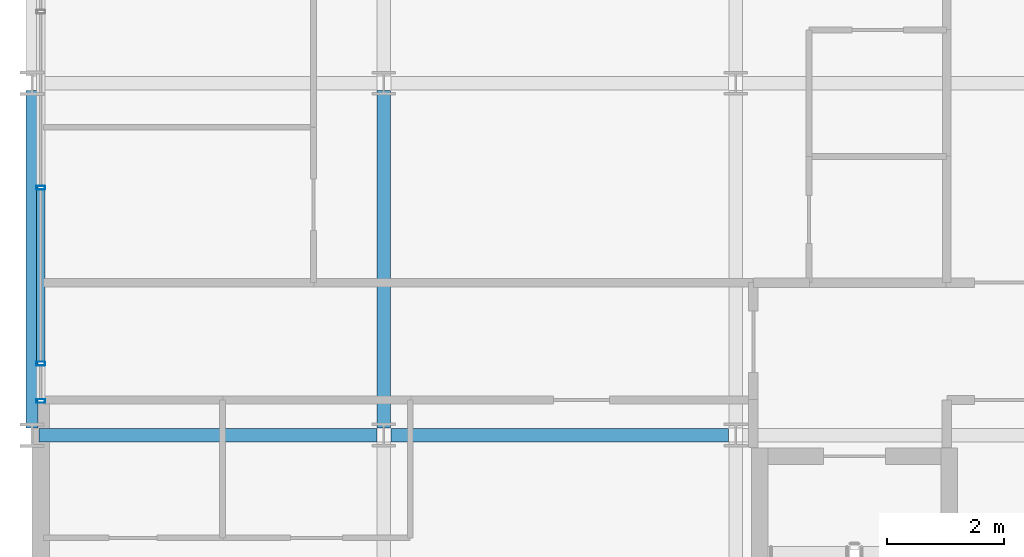
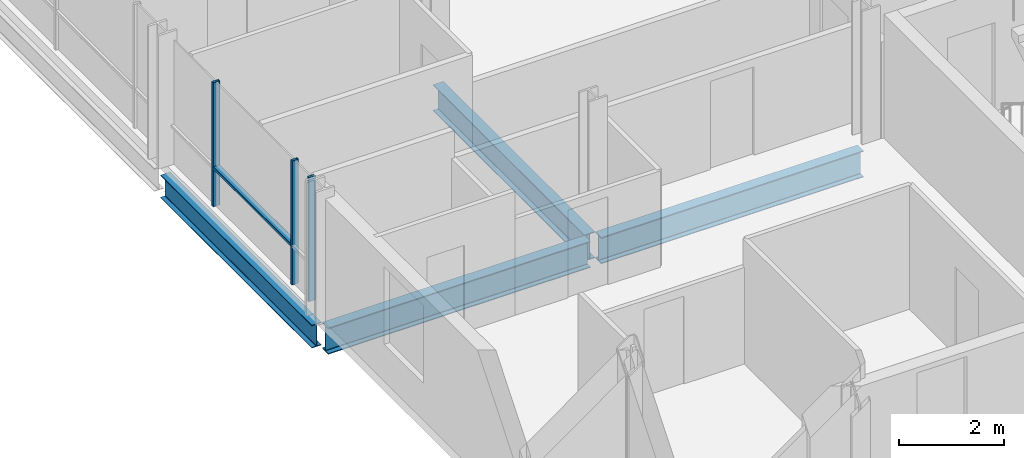
# One storey, part 4 of 41: 4 beams, 4 members, 1 element without a shape of its own.
"""IFC4 building model written with IfcOpenShell, lengths in metres."""

from ifc_helpers import new_model, si_unit, direction, frame, origin, origin_2d, place, context, subcontext, project, spatial, hollow_rectangle, i_section, extrude, material, layer, layer_set, material_profile, profile_set, type_object, element, aggregate, save


model = new_model("IFC4")

# Units and contexts
model_context = context("Model", 3, precision=1e-05, world=origin(), true_north=direction((0.0, 1.0)))
body_context = subcontext(model_context, "Body", "Model", "MODEL_VIEW")
ifc_project = project(units=[si_unit("LENGTHUNIT", "METRE"), si_unit("AREAUNIT", "SQUARE_METRE"), si_unit("VOLUMEUNIT", "CUBIC_METRE"), si_unit("PLANEANGLEUNIT", "RADIAN"), si_unit("MASSUNIT", "GRAM", prefix="KILO")], contexts=[model_context])

# Site, building, storey
site_placement = place(None, origin())
site = spatial("IfcSite", under=ifc_project, at=site_placement, CompositionType="ELEMENT")
building_placement = place(site_placement, origin())
building = spatial("IfcBuilding", under=site, at=building_placement, Name="Brevholm Reach", CompositionType="ELEMENT")
storey_placement = place(building_placement, frame((0.0, 0.0, 144.89990234375)))
storey = spatial("IfcBuildingStorey", under=building, at=storey_placement, Name="L43", CompositionType="ELEMENT", Elevation=144.89990234375)

# Beams
ifc_material_1 = material(Name="Structural Steel S355J2", Category="steel")
ifc_material_profile_1 = material_profile(ifc_material_1, i_section(OverallWidth=0.209228515625, OverallDepth=0.533203125, WebThickness=0.010009765625, FlangeThickness=0.015625, FilletRadius=0.0126953125, at=origin_2d()), Name="UKB 533x210x92")
ifc_profile_set_1 = profile_set([ifc_material_profile_1], Name="Structural Steel S355J2")
beam_type_1 = type_object("IfcBeamType", Name="BM-SP533", PredefinedType="SPANDREL", material=ifc_profile_set_1)
beam_placement = place(storey_placement, frame((0.0, 10.1201171875, -0.486572265625), z_axis=(0.0, 1.0, 0.0), x_axis=(-1.0, 0.0, 0.0)))
element("IfcBeam", 1, at=beam_placement, inside=storey, type_object=beam_type_1, Name="L43 SP-02 Framing Beam", PredefinedType="SPANDREL", context=body_context, shape_type="SweptSolid", body=[
    extrude(i_section(OverallWidth=0.209228515625, OverallDepth=0.533203125, WebThickness=0.010009765625, FlangeThickness=0.015625, FilletRadius=0.0126953125, at=origin_2d()), origin(), (0.0, 0.0, 1.0), 5.759765625),
])
ifc_material_2 = material(Name="Structural Steel S355J2", Category="steel")
ifc_material_profile_2 = material_profile(ifc_material_2, i_section(OverallWidth=0.22900390625, OverallDepth=0.6123046875, WebThickness=0.011962890625, FlangeThickness=0.01953125, FilletRadius=0.0126953125, at=origin_2d()), Name="UKB 610x229x125")
ifc_profile_set_2 = profile_set([ifc_material_profile_2], Name="Structural Steel S355J2")
beam_type_2 = type_object("IfcBeamType", Name="BM-SP610", PredefinedType="SPANDREL", material=ifc_profile_set_2)
for number, where, z_axis, x_axis, name in (
    (2, (0.1201171875, 10.0, -0.526123046875), (1.0, 0.0, 0.0), (0.0, 1.0, 0.0), "L43 SP-01 Framing Beam"),
    (3, (6.1201171875, 10.0, -0.526123046875), (1.0, 0.0, 0.0), (0.0, 1.0, 0.0), "L43 SP-01 Framing Beam"),
    (4, (6.0, 10.1201171875, -0.526123046875), (0.0, 1.0, 0.0), (-1.0, 0.0, 0.0), "L43 SP-01 Framing Beam"),
):
    element("IfcBeam", number, at=place(storey_placement, frame(where, z_axis=z_axis, x_axis=x_axis)), inside=storey, type_object=beam_type_2, Name=name, PredefinedType="SPANDREL", context=body_context, shape_type="SweptSolid", body=[
        extrude(i_section(OverallWidth=0.22900390625, OverallDepth=0.6123046875, WebThickness=0.011962890625, FlangeThickness=0.01953125, FilletRadius=0.0126953125, at=origin_2d()), origin(), (0.0, 0.0, 1.0), 5.759765625),
    ])

# Curtain wall, members
ifc_material_3 = material(Name="Dark Anodised Aluminium 6063-T6 and Solar-Control Glass", Category="aluminium")
ifc_layer = layer(ifc_material_3, 0.14990234375)
ifc_layer_set = layer_set([ifc_layer], Name="Dark Anodised Aluminium 6063-T6 and Solar-Control Glass")
curtain_wall_type = type_object("IfcCurtainWallType", Name="CW-01", PredefinedType="NOTDEFINED", material=ifc_layer_set)
curtain_wall_placement = place(storey_placement, origin())
curtain_wall = element("IfcCurtainWall", 5, at=curtain_wall_placement, inside=storey, type_object=curtain_wall_type, Name="L43 Curtain Wall CW-01", PredefinedType="NOTDEFINED")
ifc_material_4 = material(Name="Dark Anodised Aluminium 6063-T6", Category="aluminium")
ifc_material_profile_3 = material_profile(ifc_material_4, hollow_rectangle(XDim=0.06494140625, YDim=0.14990234375, WallThickness=0.0048828125, InnerFilletRadius=0.0048828125, OuterFilletRadius=0.010009765625, at=origin_2d()), Name="RHS 150x65x5")
ifc_profile_set_3 = profile_set([ifc_material_profile_3], Name="Dark Anodised Aluminium 6063-T6")
member_type_1 = type_object("IfcMemberType", Name="CWM-150", PredefinedType="MULLION", material=ifc_profile_set_3)
member_1_placement = place(storey_placement, frame((0.14990234375, 14.219970703125, 0.0), z_axis=(0.0, 0.0, 1.0), x_axis=(0.0, -1.0, 0.0)))
member_1 = element("IfcMember", 6, at=member_1_placement, type_object=member_type_1, Name="CM-150 Mullion 4", PredefinedType="MULLION", context=body_context, shape_type="SweptSolid", body=[
    extrude(hollow_rectangle(XDim=0.06494140625, YDim=0.14990234375, WallThickness=0.0048828125, InnerFilletRadius=0.0048828125, OuterFilletRadius=0.010009765625, at=origin_2d()), origin(), (0.0, 0.0, 1.0), 2.880126953125),
])
member_2_placement = place(storey_placement, frame((0.14990234375, 11.219970703125, 0.0), z_axis=(0.0, 0.0, 1.0), x_axis=(0.0, -1.0, 0.0)))
member_2 = element("IfcMember", 7, at=member_2_placement, type_object=member_type_1, Name="CM-150 Mullion 5", PredefinedType="MULLION", context=body_context, shape_type="SweptSolid", body=[
    extrude(hollow_rectangle(XDim=0.06494140625, YDim=0.14990234375, WallThickness=0.0048828125, InnerFilletRadius=0.0048828125, OuterFilletRadius=0.010009765625, at=origin_2d()), origin(), (0.0, 0.0, 1.0), 2.880126953125),
])
member_3_placement = place(storey_placement, frame((0.14990234375, 10.58251953125, 0.0), z_axis=(0.0, 0.0, 1.0), x_axis=(0.0, -1.0, 0.0)))
member_3 = element("IfcMember", 8, at=member_3_placement, type_object=member_type_1, Name="CM-150 Mullion 6", PredefinedType="MULLION", context=body_context, shape_type="SweptSolid", body=[
    extrude(hollow_rectangle(XDim=0.06494140625, YDim=0.14990234375, WallThickness=0.0048828125, InnerFilletRadius=0.0048828125, OuterFilletRadius=0.010009765625, at=origin_2d()), origin(), (0.0, 0.0, 1.0), 2.880126953125),
])
ifc_material_5 = material(Name="Dark Anodised Aluminium 6063-T6", Category="aluminium")
ifc_material_profile_4 = material_profile(ifc_material_5, hollow_rectangle(XDim=0.06494140625, YDim=0.14990234375, WallThickness=0.0048828125, InnerFilletRadius=0.0048828125, OuterFilletRadius=0.010009765625, at=origin_2d()), Name="RHS 150x65x5")
ifc_profile_set_4 = profile_set([ifc_material_profile_4], Name="Dark Anodised Aluminium 6063-T6")
member_type_2 = type_object("IfcMemberType", Name="CWT-150", PredefinedType="NOTDEFINED", material=ifc_profile_set_4)
member_4_placement = place(storey_placement, frame((0.14990234375, 14.1875, 0.900146484375), z_axis=(0.0, -1.0, 0.0), x_axis=(0.0, 0.0, 1.0)))
member_4 = element("IfcMember", 9, at=member_4_placement, type_object=member_type_2, Name="CT-150 Transom 4.1", ObjectType="TRANSOM", PredefinedType="USERDEFINED", context=body_context, shape_type="SweptSolid", body=[
    extrude(hollow_rectangle(XDim=0.06494140625, YDim=0.14990234375, WallThickness=0.0048828125, InnerFilletRadius=0.0048828125, OuterFilletRadius=0.010009765625, at=origin_2d()), origin(), (0.0, 0.0, 1.0), 2.93505859375),
])
aggregate(curtain_wall, [member_1, member_2, member_3, member_4])

save(model, "model.ifc")
